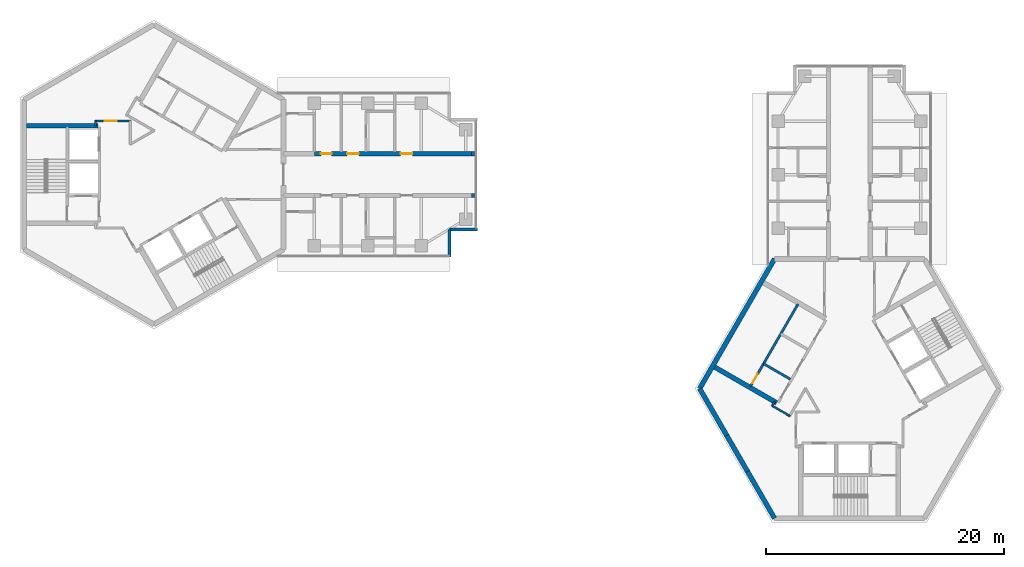
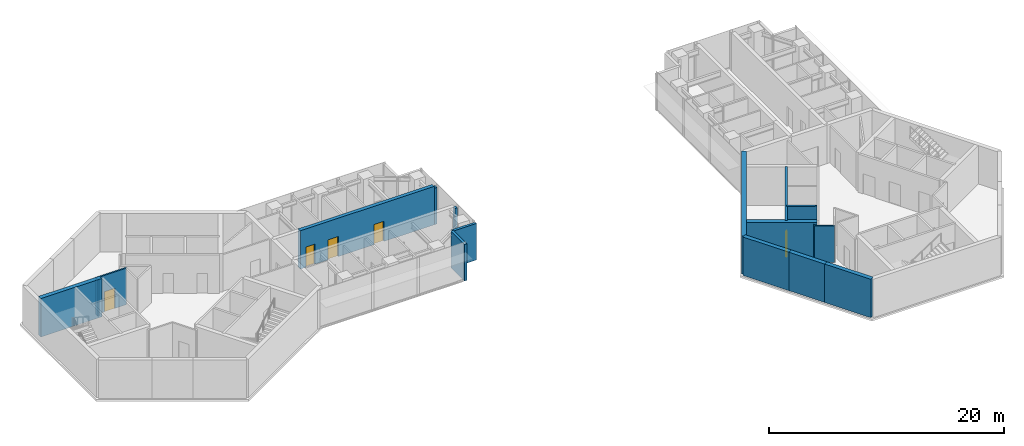
# One storey, part 6 of 11: 17 walls, 5 doors, 5 openings.
"""IFC4 building model written with IfcOpenShell, lengths in metres."""

from ifc_helpers import new_model, si_unit, direction, frame, frame_2d, origin, place, context, subcontext, project, spatial, rectangle, extrude, material, layer, layer_set, type_object, element, fill, save


model = new_model("IFC4")

# Units and contexts
model_context = context("Model", 3, precision=1e-05, world=origin(), true_north=direction((0.0, 1.0)))
body_context = subcontext(model_context, "Body", "Model", "MODEL_VIEW")
ifc_project = project(units=[si_unit("LENGTHUNIT", "METRE"), si_unit("AREAUNIT", "SQUARE_METRE"), si_unit("VOLUMEUNIT", "CUBIC_METRE"), si_unit("PLANEANGLEUNIT", "RADIAN"), si_unit("MASSUNIT", "GRAM", prefix="KILO")], contexts=[model_context])

# Site, building, storey
site_placement = place(None, origin())
site = spatial("IfcSite", under=ifc_project, at=site_placement, CompositionType="ELEMENT")
building_placement = place(site_placement, origin())
building = spatial("IfcBuilding", under=site, at=building_placement, Name="Upepo Twin Towers", CompositionType="ELEMENT")
storey_placement = place(building_placement, frame((0.0, 0.0, 259.5)))
storey = spatial("IfcBuildingStorey", under=building, at=storey_placement, Name="L63", CompositionType="ELEMENT", Elevation=259.5)

# Walls
ifc_material_1 = material(Name="Dense concrete blockwork", Category="masonry")
ifc_layer_1 = layer(ifc_material_1, 0.35009765625)
ifc_layer_set_1 = layer_set([ifc_layer_1], Name="Buttress closer 350, blockwork with fire-stopping to the curtain wall")
wall_type_1 = type_object("IfcWallType", Name="Buttress closer 350, blockwork with fire-stopping to the curtain wall", PredefinedType="PARTITIONING", material=ifc_layer_set_1)
for number, where, z_axis, x_axis, name in (
    (1, (26.699951171875, 1.75, 0.0), (0.0, 0.0, 1.0), (1.0, 0.0, 0.0), "T1 L63 wing A buttress closer L"),
    (2, (26.699951171875, -1.75, 0.0), (0.0, 0.0, 1.0), (1.0, 0.0, 0.0), "T1 L63 wing A buttress closer R"),
):
    element("IfcWall", number, at=place(storey_placement, frame(where, z_axis=z_axis, x_axis=x_axis)), inside=storey, type_object=wall_type_1, Name=name, PredefinedType="PARTITIONING", context=body_context, shape_type="SweptSolid", body=[
        extrude(rectangle(XDim=0.275146484375, YDim=0.35009765625, at=frame_2d((0.1376953125, 0.0))), origin(), (0.0, 0.0, 1.0), 3.800048828125),
    ])

# Wall, openings, doors
ifc_material_2 = material(Name="Concrete C60/75", Category="concrete")
ifc_layer_2 = layer(ifc_material_2, 0.35009765625)
ifc_layer_set_2 = layer_set([ifc_layer_2], Name="Concrete C60/75")
wall_type_2 = type_object("IfcWallType", Name="Buttress wall 350 RC", PredefinedType="SHEAR", material=ifc_layer_set_2)
wall_1_placement = place(storey_placement, frame((13.5, 1.75, 0.0), z_axis=(0.0, 0.0, 1.0), x_axis=(1.0, 0.0, 0.0)))
wall_1 = element("IfcWall", 3, at=wall_1_placement, inside=storey, type_object=wall_type_2, Name="T1 wing A buttress wall L part 2", PredefinedType="SHEAR", context=body_context, shape_type="SweptSolid", body=[
    extrude(rectangle(XDim=13.199951171875, YDim=0.35009765625, at=frame_2d((6.60009765625, 0.0))), origin(), (0.0, 0.0, 1.0), 4.0),
])
opening_1_placement = place(wall_1_placement, frame((0.550048828125, 0.0, 0.0)))
opening_1 = element("IfcOpeningElement", 4, at=opening_1_placement, cuts=wall_1, Name="Opening D11", PredefinedType="OPENING", context=body_context, shape_type="SweptSolid", body=[
    extrude(rectangle(XDim=0.89990234375, YDim=2.10009765625, at=frame_2d((0.449951171875, 1.050048828125))), frame((0.0, 0.18505859375, 0.0), z_axis=(0.0, -1.0, 0.0), x_axis=(1.0, 0.0, 0.0)), (0.0, 0.0, 1.0), 0.3701171875),
])
opening_2_placement = place(wall_1_placement, frame((2.75, 0.0, 0.0)))
opening_2 = element("IfcOpeningElement", 5, at=opening_2_placement, cuts=wall_1, Name="Opening D1", PredefinedType="OPENING", context=body_context, shape_type="SweptSolid", body=[
    extrude(rectangle(XDim=1.0, YDim=2.10009765625, at=frame_2d((0.5, 1.050048828125))), frame((0.0, 0.18505859375, 0.0), z_axis=(0.0, -1.0, 0.0), x_axis=(1.0, 0.0, 0.0)), (0.0, 0.0, 1.0), 0.3701171875),
])
opening_3_placement = place(wall_1_placement, frame((7.25, 0.0, 0.0)))
opening_3 = element("IfcOpeningElement", 6, at=opening_3_placement, cuts=wall_1, Name="Opening D1", PredefinedType="OPENING", context=body_context, shape_type="SweptSolid", body=[
    extrude(rectangle(XDim=1.0, YDim=2.10009765625, at=frame_2d((0.5, 1.050048828125))), frame((0.0, 0.18505859375, 0.0), z_axis=(0.0, -1.0, 0.0), x_axis=(1.0, 0.0, 0.0)), (0.0, 0.0, 1.0), 0.3701171875),
])
ifc_material_3 = material(Name="Timber doorset", Category="wood")
door_type_1 = type_object("IfcDoorType", Name="Room door 1000 FD30", OperationType="SINGLE_SWING_LEFT", PredefinedType="DOOR", material=ifc_material_3)
door_1_placement = place(opening_2_placement, origin())
door_1 = element("IfcDoor", 7, at=door_1_placement, inside=storey, type_object=door_type_1, Name="T1 L63 seminar room door", OperationType="SINGLE_SWING_LEFT", OverallHeight=2.10009765625, OverallWidth=1.0, PredefinedType="DOOR", context=body_context, shape_type="SweptSolid", body=[
    extrude(rectangle(XDim=1.0, YDim=2.10009765625, at=frame_2d((0.5, 1.050048828125))), frame((0.0, 0.02490234375, 0.0), z_axis=(0.0, -1.0, 0.0), x_axis=(1.0, 0.0, 0.0)), (0.0, 0.0, 1.0), 0.050048828125),
])
fill(opening_2, door_1)
door_2_placement = place(opening_3_placement, origin())
door_2 = element("IfcDoor", 8, at=door_2_placement, inside=storey, type_object=door_type_1, Name="T1 L63 staff office door", OperationType="SINGLE_SWING_RIGHT", OverallHeight=2.10009765625, OverallWidth=1.0, PredefinedType="DOOR", context=body_context, shape_type="SweptSolid", body=[
    extrude(rectangle(XDim=1.0, YDim=2.10009765625, at=frame_2d((0.5, 1.050048828125))), frame((0.0, 0.02490234375, 0.0), z_axis=(0.0, -1.0, 0.0), x_axis=(1.0, 0.0, 0.0)), (0.0, 0.0, 1.0), 0.050048828125),
])
fill(opening_3, door_2)
ifc_material_4 = material(Name="Timber doorset", Category="wood")
door_type_2 = type_object("IfcDoorType", Name="Toilet door 900", OperationType="SINGLE_SWING_LEFT", PredefinedType="DOOR", material=ifc_material_4)
door_3_placement = place(opening_1_placement, origin())
door_3 = element("IfcDoor", 9, at=door_3_placement, inside=storey, type_object=door_type_2, Name="T1 L63 accessible wc door", OperationType="SINGLE_SWING_LEFT", OverallHeight=2.10009765625, OverallWidth=0.89990234375, PredefinedType="DOOR", context=body_context, shape_type="SweptSolid", body=[
    extrude(rectangle(XDim=0.89990234375, YDim=2.10009765625, at=frame_2d((0.449951171875, 1.050048828125))), frame((0.0, 0.02490234375, 0.0), z_axis=(0.0, -1.0, 0.0), x_axis=(1.0, 0.0, 0.0)), (0.0, 0.0, 1.0), 0.050048828125),
])
fill(opening_1, door_3)

# Walls
ifc_material_5 = material(Name="Concrete C60/75", Category="concrete")
ifc_layer_3 = layer(ifc_material_5, 0.39990234375)
ifc_layer_set_3 = layer_set([ifc_layer_3], Name="Concrete C60/75")
wall_type_3 = type_object("IfcWallType", Name="Core wall 400 RC", PredefinedType="SHEAR", material=ifc_layer_set_3)
wall_2_placement = place(storey_placement, frame((52.2021484375, -7.091552734375, 0.0), z_axis=(0.0, 0.0, 1.0), x_axis=(-0.500005998175, -0.866021940709, 0.0)))
element("IfcWall", 10, at=wall_2_placement, inside=storey, type_object=wall_type_3, Name="T2 core wall 060", PredefinedType="SHEAR", context=body_context, shape_type="SweptSolid", body=[
    extrude(rectangle(XDim=12.595947265625, YDim=0.39990234375, at=frame_2d((6.2978515625, 0.0))), origin(), (0.0, 0.0, 1.0), 4.0),
])
wall_3_placement = place(storey_placement, frame((45.904052734375, -18.0, 0.0), z_axis=(0.0, 0.0, 1.0), x_axis=(0.500024481964, -0.866011268655, 0.0)))
element("IfcWall", 11, at=wall_3_placement, inside=storey, type_object=wall_type_3, Name="T2 core wall 120 R", PredefinedType="SHEAR", context=body_context, shape_type="SweptSolid", body=[
    extrude(rectangle(XDim=4.548095703125, YDim=0.39990234375, at=frame_2d((2.27392578125, 0.0))), origin(), (0.0, 0.0, 1.0), 4.0),
])
wall_4_placement = place(storey_placement, frame((48.17822265625, -21.938720703125, 0.0), z_axis=(0.0, 0.0, 1.0), x_axis=(0.500010275428, -0.866019471182, 0.0)))
element("IfcWall", 12, at=wall_4_placement, inside=storey, type_object=wall_type_3, Name="T2 core wall 120", PredefinedType="SHEAR", context=body_context, shape_type="SweptSolid", body=[
    extrude(rectangle(XDim=3.5, YDim=0.39990234375, at=frame_2d((1.75, 0.0))), origin(), (0.0, 0.0, 1.0), 4.0),
])
wall_5_placement = place(storey_placement, frame((49.92822265625, -24.9697265625, 0.0), z_axis=(0.0, 0.0, 1.0), x_axis=(0.499984222037, -0.866034513004, 0.0)))
element("IfcWall", 13, at=wall_5_placement, inside=storey, type_object=wall_type_3, Name="T2 core wall 120 L", PredefinedType="SHEAR", context=body_context, shape_type="SweptSolid", body=[
    extrude(rectangle(XDim=4.548095703125, YDim=0.39990234375, at=frame_2d((2.27392578125, 0.0))), origin(), (0.0, 0.0, 1.0), 4.0),
])
ifc_material_6 = material(Name="Blockwork with anodised aluminium cladding", Category="masonry")
ifc_layer_4 = layer(ifc_material_6, 0.25)
ifc_layer_set_4 = layer_set([ifc_layer_4], Name="Notch cladding wall 250, pale metal")
wall_type_4 = type_object("IfcWallType", Name="Notch cladding wall 250, pale metal", PredefinedType="STANDARD", material=ifc_layer_set_4)
for number, where, z_axis, x_axis, name in (
    (14, (24.875, -6.949951171875, 0.0), (0.0, 0.0, 1.0), (0.0, 1.0, 0.0), "T1 L63 wing A notch wall R1"),
    (15, (24.875, -4.625, 0.0), (0.0, 0.0, 1.0), (1.0, 0.0, 0.0), "T1 L63 wing A notch wall R2"),
):
    element("IfcWall", number, at=place(storey_placement, frame(where, z_axis=z_axis, x_axis=x_axis)), inside=storey, type_object=wall_type_4, Name=name, PredefinedType="STANDARD", context=body_context, shape_type="SweptSolid", body=[
        extrude(rectangle(XDim=2.324951171875, YDim=0.25, at=frame_2d((1.16259765625, 0.0))), origin(), (0.0, 0.0, 1.0), 3.800048828125),
    ])
ifc_material_7 = material(Name="Concrete C40/50", Category="concrete")
ifc_layer_5 = layer(ifc_material_7, 0.199951171875)
ifc_layer_set_5 = layer_set([ifc_layer_5], Name="Concrete C40/50")
wall_type_5 = type_object("IfcWallType", Name="Shaft wall 200 RC", PredefinedType="SHEAR", material=ifc_layer_set_5)
wall_6_placement = place(storey_placement, frame((53.52978515625, -17.208740234375, 0.0), z_axis=(0.0, 0.0, 1.0), x_axis=(-0.866062058628, 0.499936506574, 0.0)))
element("IfcWall", 16, at=wall_6_placement, inside=storey, type_object=wall_type_5, Name="T2 core W60 lobby wall", PredefinedType="SHEAR", context=body_context, shape_type="SweptSolid", body=[
    extrude(rectangle(XDim=2.599853515625, YDim=0.199951171875, at=frame_2d((1.2998046875, 0.0))), origin(), (0.0, 0.0, 1.0), 4.0),
])

# Wall, opening, door
wall_7_placement = place(storey_placement, frame((54.177978515625, -10.885986328125, 0.0), z_axis=(0.0, 0.0, 1.0), x_axis=(-0.49999894854, -0.866026010844, 0.0)))
wall_7 = element("IfcWall", 17, at=wall_7_placement, inside=storey, type_object=wall_type_5, Name="T2 core W60 stair wall", PredefinedType="SHEAR", context=body_context, shape_type="SweptSolid", body=[
    extrude(rectangle(XDim=8.0, YDim=0.199951171875, at=frame_2d((4.0, 0.0))), origin(), (0.0, 0.0, 1.0), 4.0),
])
opening_4_placement = place(wall_7_placement, frame((6.800048828125, 0.0, 0.0)))
opening_4 = element("IfcOpeningElement", 18, at=opening_4_placement, cuts=wall_7, Name="Opening D9", PredefinedType="OPENING", context=body_context, shape_type="SweptSolid", body=[
    extrude(rectangle(XDim=0.89990234375, YDim=2.10009765625, at=frame_2d((0.449951171875, 1.050048828125))), frame((0.0, 0.10986328125, 0.0), z_axis=(0.0, -1.0, 0.0), x_axis=(1.0, 0.0, 0.0)), (0.0, 0.0, 1.0), 0.219970703125),
])
ifc_material_8 = material(Name="Timber doorset", Category="wood")
door_type_3 = type_object("IfcDoorType", Name="Riser door 900 FD60", OperationType="SINGLE_SWING_LEFT", PredefinedType="DOOR", material=ifc_material_8)
door_4_placement = place(opening_4_placement, origin())
door_4 = element("IfcDoor", 19, at=door_4_placement, inside=storey, type_object=door_type_3, Name="T2 L63 riser door", OperationType="SINGLE_SWING_RIGHT", OverallHeight=2.10009765625, OverallWidth=0.89990234375, PredefinedType="DOOR", context=body_context, shape_type="SweptSolid", body=[
    extrude(rectangle(XDim=0.89990234375, YDim=2.10009765625, at=frame_2d((0.449951171875, 1.050048828125))), frame((0.0, 0.02490234375, 0.0), z_axis=(0.0, -1.0, 0.0), x_axis=(1.0, 0.0, 0.0)), (0.0, 0.0, 1.0), 0.050048828125),
])
fill(opening_4, door_4)

# Walls
ifc_material_9 = material(Name="Concrete C40/50", Category="concrete")
ifc_layer_6 = layer(ifc_material_9, 0.39990234375)
ifc_layer_set_6 = layer_set([ifc_layer_6], Name="Concrete C40/50")
wall_type_6 = type_object("IfcWallType", Name="Shaft wall 400 RC", PredefinedType="SHEAR", material=ifc_layer_set_6)
for number, where, z_axis, x_axis, name in (
    (20, (-4.699951171875, 4.10009765625, 0.0), (0.0, 0.0, 1.0), (-1.0, 0.0, 0.0), "T1 core W180 side wall S"),
    (21, (52.379638671875, -19.20068359375, 0.0), (0.0, 0.0, 1.0), (-0.866026570101, 0.499997979876, 0.0), "T2 core W60 side wall N"),
):
    element("IfcWall", number, at=place(storey_placement, frame(where, z_axis=z_axis, x_axis=x_axis)), inside=storey, type_object=wall_type_6, Name=name, PredefinedType="SHEAR", context=body_context, shape_type="SweptSolid", body=[
        extrude(rectangle(XDim=6.00830078125, YDim=0.39990234375, at=frame_2d((3.004150390625, 0.0))), origin(), (0.0, 0.0, 1.0), 4.0),
    ])
ifc_material_10 = material(Name="Gypsum board on steel studs", Category="steel")
ifc_layer_7 = layer(ifc_material_10, 0.14990234375)
ifc_layer_set_7 = layer_set([ifc_layer_7], Name="Teaching partition 150 acoustic")
wall_type_7 = type_object("IfcWallType", Name="Teaching partition 150 acoustic", PredefinedType="PARTITIONING", material=ifc_layer_set_7)
wall_8_placement = place(storey_placement, frame((-4.89990234375, 4.090087890625, 0.0), z_axis=(0.0, 0.0, 1.0), x_axis=(0.0, 1.0, 0.0)))
element("IfcWall", 22, at=wall_8_placement, inside=storey, type_object=wall_type_7, Name="T1 core room partition 4", PredefinedType="PARTITIONING", context=body_context, shape_type="SweptSolid", body=[
    extrude(rectangle(XDim=0.429931640625, YDim=0.14990234375, at=frame_2d((0.21484375, 0.0))), origin(), (0.0, 0.0, 1.0), 3.800048828125),
])

# Wall, opening, door
wall_9_placement = place(storey_placement, frame((-4.919921875, 4.5, 0.0), z_axis=(0.0, 0.0, 1.0), x_axis=(1.0, 0.0, 0.0)))
wall_9 = element("IfcWall", 23, at=wall_9_placement, inside=storey, type_object=wall_type_7, Name="T1 core room partition 5", PredefinedType="PARTITIONING", context=body_context, shape_type="SweptSolid", body=[
    extrude(rectangle(XDim=2.96484375, YDim=0.14990234375, at=frame_2d((1.482421875, 0.0))), origin(), (0.0, 0.0, 1.0), 3.800048828125),
])
opening_5_placement = place(wall_9_placement, frame((0.800048828125, 0.0, 0.0)))
opening_5 = element("IfcOpeningElement", 24, at=opening_5_placement, cuts=wall_9, Name="Opening D1", PredefinedType="OPENING", context=body_context, shape_type="SweptSolid", body=[
    extrude(rectangle(XDim=1.0, YDim=2.10009765625, at=frame_2d((0.5, 1.050048828125))), frame((0.0, 0.0849609375, 0.0), z_axis=(0.0, -1.0, 0.0), x_axis=(1.0, 0.0, 0.0)), (0.0, 0.0, 1.0), 0.169921875),
])
door_5_placement = place(opening_5_placement, origin())
door_5 = element("IfcDoor", 25, at=door_5_placement, inside=storey, type_object=door_type_1, Name="T1 L63 core room door K5", OperationType="SINGLE_SWING_LEFT", OverallHeight=2.10009765625, OverallWidth=1.0, PredefinedType="DOOR", context=body_context, shape_type="SweptSolid", body=[
    extrude(rectangle(XDim=1.0, YDim=2.10009765625, at=frame_2d((0.5, 1.050048828125))), frame((0.0, 0.02490234375, 0.0), z_axis=(0.0, -1.0, 0.0), x_axis=(1.0, 0.0, 0.0)), (0.0, 0.0, 1.0), 0.050048828125),
])
fill(opening_5, door_5)

# Walls
wall_10_placement = place(storey_placement, frame((53.49609375, -20.30712890625, 0.0), z_axis=(0.0, 0.0, 1.0), x_axis=(-0.865989304205, 0.500062521093, 0.0)))
element("IfcWall", 26, at=wall_10_placement, inside=storey, type_object=wall_type_7, Name="T2 core room partition 7", PredefinedType="PARTITIONING", context=body_context, shape_type="SweptSolid", body=[
    extrude(rectangle(XDim=1.739990234375, YDim=0.14990234375, at=frame_2d((0.8701171875, 0.0))), origin(), (0.0, 0.0, 1.0), 3.800048828125),
])
wall_11_placement = place(storey_placement, frame((51.99658203125, -19.46435546875, 0.0), z_axis=(0.0, 0.0, 1.0), x_axis=(0.499804398801, 0.866138304741, 0.0)))
element("IfcWall", 27, at=wall_11_placement, inside=storey, type_object=wall_type_7, Name="T2 core room partition 8", PredefinedType="PARTITIONING", context=body_context, shape_type="SweptSolid", body=[
    extrude(rectangle(XDim=0.429931640625, YDim=0.14990234375, at=frame_2d((0.21484375, 0.0))), origin(), (0.0, 0.0, 1.0), 3.800048828125),
])

save(model, "model.ifc")
